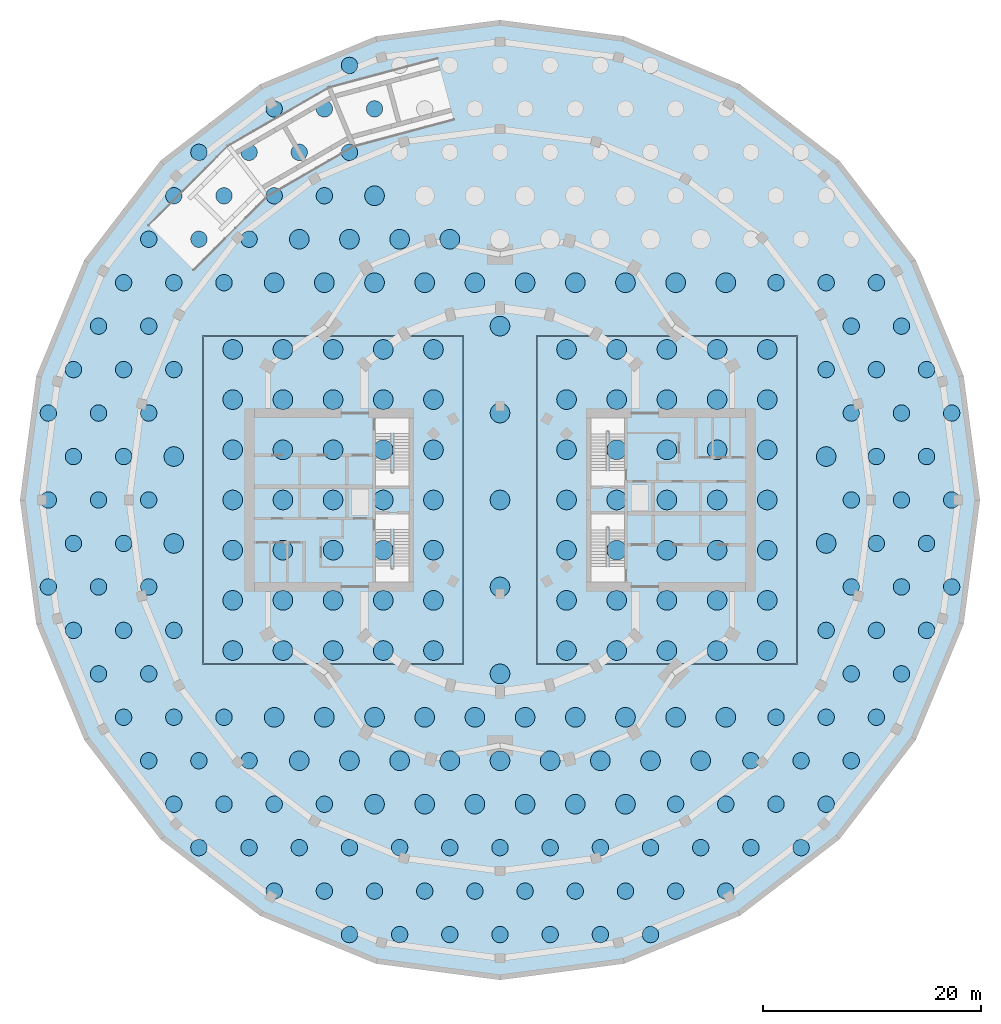
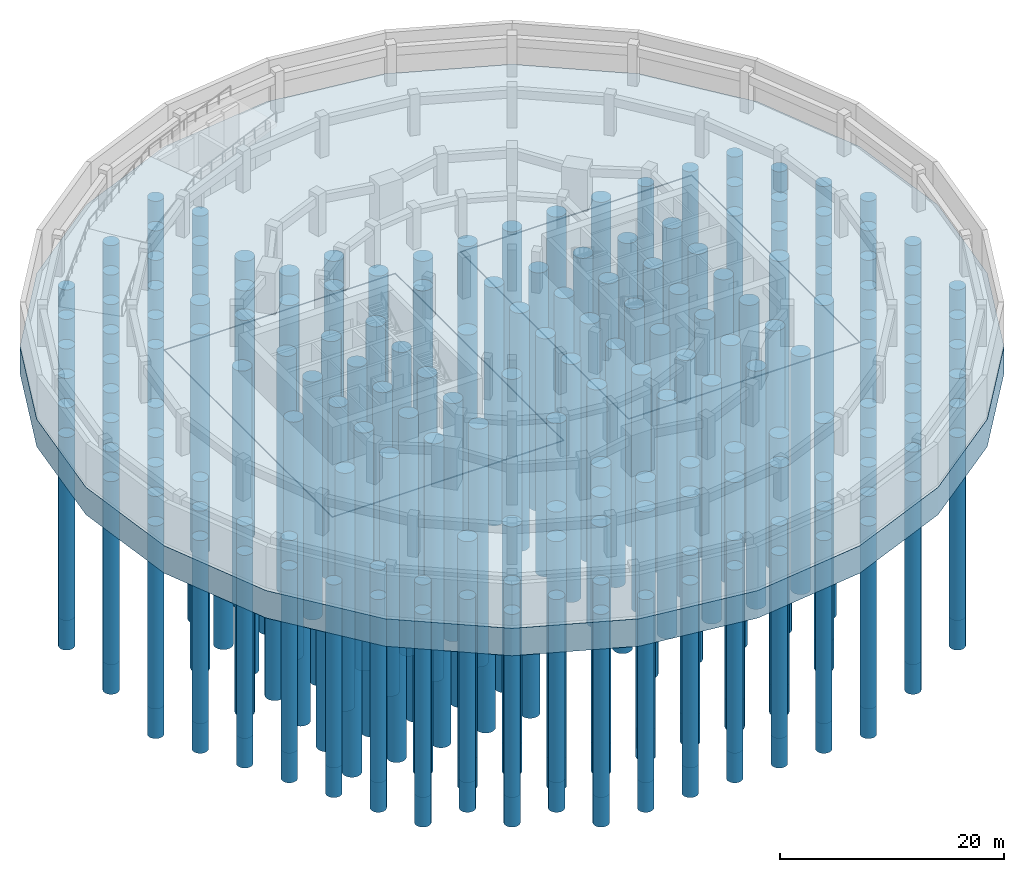
# One storey, part 1 of 9: 236 piles, 3 footings.
"""IFC4 building model written with IfcOpenShell, lengths in metres."""

from ifc_helpers import new_model, si_unit, direction, frame, origin, origin_2d, place, context, subcontext, project, spatial, polyline, circle, outline, extrude, material, layer, layer_set, material_profile, profile_set, type_object, element, save


model = new_model("IFC4")

# Units and contexts
model_context = context("Model", 3, precision=1e-05, world=origin(), true_north=direction((0.0, 1.0)))
body_context = subcontext(model_context, "Body", "Model", "MODEL_VIEW")
ifc_project = project(units=[si_unit("LENGTHUNIT", "METRE"), si_unit("AREAUNIT", "SQUARE_METRE"), si_unit("VOLUMEUNIT", "CUBIC_METRE"), si_unit("PLANEANGLEUNIT", "RADIAN"), si_unit("MASSUNIT", "GRAM", prefix="KILO")], contexts=[model_context])

# Site, building, storey
site_placement = place(None, origin())
site = spatial("IfcSite", under=ifc_project, at=site_placement, CompositionType="ELEMENT")
building_placement = place(site_placement, origin())
building = spatial("IfcBuilding", under=site, at=building_placement, Name="Torre Brocal", CompositionType="ELEMENT")
storey_placement = place(building_placement, frame((0.0, 0.0, -9.0)))
storey = spatial("IfcBuildingStorey", under=building, at=storey_placement, Name="B2", CompositionType="ELEMENT", Elevation=-9.0)

# Piles
ifc_material_1 = material(Name="Concrete C45", Category="concrete")
ifc_material_profile_1 = material_profile(ifc_material_1, circle(Radius=0.75, at=origin_2d()), Name="BORED PILE D1500")
ifc_profile_set_1 = profile_set([ifc_material_profile_1], Name="Concrete C45")
pile_type_1 = type_object("IfcPileType", Name="BORED PILE D1500 L20000", PredefinedType="BORED", material=ifc_profile_set_1)
for number, where, z_axis, x_axis, name in (
    (1, (66.199951171875, 35.162841796875, -3.300048828125), (0.0, 0.0, -1.0), (1.0, 0.0, 0.0), "Pile PL-02"),
    (2, (70.800048828125, 35.162841796875, -3.300048828125), (0.0, 0.0, -1.0), (1.0, 0.0, 0.0), "Pile PL-02"),
    (3, (75.39990234375, 35.162841796875, -3.300048828125), (0.0, 0.0, -1.0), (1.0, 0.0, 0.0), "Pile PL-02"),
    (4, (80.0, 35.162841796875, -3.300048828125), (0.0, 0.0, -1.0), (1.0, 0.0, 0.0), "Pile PL-02"),
    (5, (84.60009765625, 35.162841796875, -3.300048828125), (0.0, 0.0, -1.0), (1.0, 0.0, 0.0), "Pile PL-02"),
    (6, (89.199951171875, 35.162841796875, -3.300048828125), (0.0, 0.0, -1.0), (1.0, 0.0, 0.0), "Pile PL-02"),
    (7, (93.800048828125, 35.162841796875, -3.300048828125), (0.0, 0.0, -1.0), (1.0, 0.0, 0.0), "Pile PL-02"),
    (8, (59.300048828125, 39.146484375, -3.300048828125), (0.0, 0.0, -1.0), (1.0, 0.0, 0.0), "Pile PL-02"),
    (9, (63.89990234375, 39.146484375, -3.300048828125), (0.0, 0.0, -1.0), (1.0, 0.0, 0.0), "Pile PL-02"),
    (10, (68.5, 39.146484375, -3.300048828125), (0.0, 0.0, -1.0), (1.0, 0.0, 0.0), "Pile PL-02"),
    (11, (73.10009765625, 39.146484375, -3.300048828125), (0.0, 0.0, -1.0), (1.0, 0.0, 0.0), "Pile PL-02"),
    (12, (77.699951171875, 39.146484375, -3.300048828125), (0.0, 0.0, -1.0), (1.0, 0.0, 0.0), "Pile PL-02"),
    (13, (82.300048828125, 39.146484375, -3.300048828125), (0.0, 0.0, -1.0), (1.0, 0.0, 0.0), "Pile PL-02"),
    (14, (86.89990234375, 39.146484375, -3.300048828125), (0.0, 0.0, -1.0), (1.0, 0.0, 0.0), "Pile PL-02"),
    (15, (91.5, 39.146484375, -3.300048828125), (0.0, 0.0, -1.0), (1.0, 0.0, 0.0), "Pile PL-02"),
    (16, (96.10009765625, 39.146484375, -3.300048828125), (0.0, 0.0, -1.0), (1.0, 0.0, 0.0), "Pile PL-02"),
    (17, (100.699951171875, 39.146484375, -3.300048828125), (0.0, 0.0, -1.0), (1.0, 0.0, 0.0), "Pile PL-02"),
    (18, (52.39990234375, 43.13037109375, -3.300048828125), (0.0, 0.0, -1.0), (1.0, 0.0, 0.0), "Pile PL-02"),
    (19, (57.0, 43.13037109375, -3.300048828125), (0.0, 0.0, -1.0), (1.0, 0.0, 0.0), "Pile PL-02"),
    (20, (61.60009765625, 43.13037109375, -3.300048828125), (0.0, 0.0, -1.0), (1.0, 0.0, 0.0), "Pile PL-02"),
    (21, (66.199951171875, 43.13037109375, -3.300048828125), (0.0, 0.0, -1.0), (1.0, 0.0, 0.0), "Pile PL-02"),
    (22, (70.800048828125, 43.13037109375, -3.300048828125), (0.0, 0.0, -1.0), (1.0, 0.0, 0.0), "Pile PL-02"),
    (23, (75.39990234375, 43.13037109375, -3.300048828125), (0.0, 0.0, -1.0), (1.0, 0.0, 0.0), "Pile PL-02"),
    (24, (80.0, 43.13037109375, -3.300048828125), (0.0, 0.0, -1.0), (1.0, 0.0, 0.0), "Pile PL-02"),
    (25, (84.60009765625, 43.13037109375, -3.300048828125), (0.0, 0.0, -1.0), (1.0, 0.0, 0.0), "Pile PL-02"),
    (26, (89.199951171875, 43.13037109375, -3.300048828125), (0.0, 0.0, -1.0), (1.0, 0.0, 0.0), "Pile PL-02"),
    (27, (93.800048828125, 43.13037109375, -3.300048828125), (0.0, 0.0, -1.0), (1.0, 0.0, 0.0), "Pile PL-02"),
    (28, (98.39990234375, 43.13037109375, -3.300048828125), (0.0, 0.0, -1.0), (1.0, 0.0, 0.0), "Pile PL-02"),
    (29, (103.0, 43.13037109375, -3.300048828125), (0.0, 0.0, -1.0), (1.0, 0.0, 0.0), "Pile PL-02"),
    (30, (107.60009765625, 43.13037109375, -3.300048828125), (0.0, 0.0, -1.0), (1.0, 0.0, 0.0), "Pile PL-02"),
    (31, (50.10009765625, 47.114013671875, -3.300048828125), (0.0, 0.0, -1.0), (1.0, 0.0, 0.0), "Pile PL-02"),
    (32, (54.699951171875, 47.114013671875, -3.300048828125), (0.0, 0.0, -1.0), (1.0, 0.0, 0.0), "Pile PL-02"),
    (33, (59.300048828125, 47.114013671875, -3.300048828125), (0.0, 0.0, -1.0), (1.0, 0.0, 0.0), "Pile PL-02"),
    (34, (63.89990234375, 47.114013671875, -3.300048828125), (0.0, 0.0, -1.0), (1.0, 0.0, 0.0), "Pile PL-02"),
    (35, (96.10009765625, 47.114013671875, -3.300048828125), (0.0, 0.0, -1.0), (1.0, 0.0, 0.0), "Pile PL-02"),
    (36, (100.699951171875, 47.114013671875, -3.300048828125), (0.0, 0.0, -1.0), (1.0, 0.0, 0.0), "Pile PL-02"),
    (37, (105.300048828125, 47.114013671875, -3.300048828125), (0.0, 0.0, -1.0), (1.0, 0.0, 0.0), "Pile PL-02"),
    (38, (109.89990234375, 47.114013671875, -3.300048828125), (0.0, 0.0, -1.0), (1.0, 0.0, 0.0), "Pile PL-02"),
    (39, (47.800048828125, 51.09765625, -3.300048828125), (0.0, 0.0, -1.0), (1.0, 0.0, 0.0), "Pile PL-02"),
    (40, (52.39990234375, 51.09765625, -3.300048828125), (0.0, 0.0, -1.0), (1.0, 0.0, 0.0), "Pile PL-02"),
    (41, (57.0, 51.09765625, -3.300048828125), (0.0, 0.0, -1.0), (1.0, 0.0, 0.0), "Pile PL-02"),
    (42, (103.0, 51.09765625, -3.300048828125), (0.0, 0.0, -1.0), (1.0, 0.0, 0.0), "Pile PL-02"),
    (43, (107.60009765625, 51.09765625, -3.300048828125), (0.0, 0.0, -1.0), (1.0, 0.0, 0.0), "Pile PL-02"),
    (44, (112.199951171875, 51.09765625, -3.300048828125), (0.0, 0.0, -1.0), (1.0, 0.0, 0.0), "Pile PL-02"),
    (45, (45.5, 55.081298828125, -3.300048828125), (0.0, 0.0, -1.0), (1.0, 0.0, 0.0), "Pile PL-02"),
    (46, (50.10009765625, 55.081298828125, -3.300048828125), (0.0, 0.0, -1.0), (1.0, 0.0, 0.0), "Pile PL-02"),
    (47, (54.699951171875, 55.081298828125, -3.300048828125), (0.0, 0.0, -1.0), (1.0, 0.0, 0.0), "Pile PL-02"),
    (48, (105.300048828125, 55.081298828125, -3.300048828125), (0.0, 0.0, -1.0), (1.0, 0.0, 0.0), "Pile PL-02"),
    (49, (109.89990234375, 55.081298828125, -3.300048828125), (0.0, 0.0, -1.0), (1.0, 0.0, 0.0), "Pile PL-02"),
    (50, (114.5, 55.081298828125, -3.300048828125), (0.0, 0.0, -1.0), (1.0, 0.0, 0.0), "Pile PL-02"),
    (51, (43.199951171875, 59.065185546875, -3.300048828125), (0.0, 0.0, -1.0), (1.0, 0.0, 0.0), "Pile PL-02"),
    (52, (47.800048828125, 59.065185546875, -3.300048828125), (0.0, 0.0, -1.0), (1.0, 0.0, 0.0), "Pile PL-02"),
    (53, (112.199951171875, 59.065185546875, -3.300048828125), (0.0, 0.0, -1.0), (1.0, 0.0, 0.0), "Pile PL-02"),
    (54, (116.800048828125, 59.065185546875, -3.300048828125), (0.0, 0.0, -1.0), (1.0, 0.0, 0.0), "Pile PL-02"),
    (55, (40.89990234375, 63.048828125, -3.300048828125), (0.0, 0.0, -1.0), (1.0, 0.0, 0.0), "Pile PL-02"),
    (56, (45.5, 63.048828125, -3.300048828125), (0.0, 0.0, -1.0), (1.0, 0.0, 0.0), "Pile PL-02"),
    (57, (50.10009765625, 63.048828125, -3.300048828125), (0.0, 0.0, -1.0), (1.0, 0.0, 0.0), "Pile PL-02"),
    (58, (109.89990234375, 63.048828125, -3.300048828125), (0.0, 0.0, -1.0), (1.0, 0.0, 0.0), "Pile PL-02"),
    (59, (114.5, 63.048828125, -3.300048828125), (0.0, 0.0, -1.0), (1.0, 0.0, 0.0), "Pile PL-02"),
    (60, (119.10009765625, 63.048828125, -3.300048828125), (0.0, 0.0, -1.0), (1.0, 0.0, 0.0), "Pile PL-02"),
    (61, (38.60009765625, 67.032470703125, -3.300048828125), (0.0, 0.0, -1.0), (1.0, 0.0, 0.0), "Pile PL-02"),
    (62, (43.199951171875, 67.032470703125, -3.300048828125), (0.0, 0.0, -1.0), (1.0, 0.0, 0.0), "Pile PL-02"),
    (63, (47.800048828125, 67.032470703125, -3.300048828125), (0.0, 0.0, -1.0), (1.0, 0.0, 0.0), "Pile PL-02"),
    (64, (112.199951171875, 67.032470703125, -3.300048828125), (0.0, 0.0, -1.0), (1.0, 0.0, 0.0), "Pile PL-02"),
    (65, (116.800048828125, 67.032470703125, -3.300048828125), (0.0, 0.0, -1.0), (1.0, 0.0, 0.0), "Pile PL-02"),
    (66, (121.39990234375, 67.032470703125, -3.300048828125), (0.0, 0.0, -1.0), (1.0, 0.0, 0.0), "Pile PL-02"),
    (67, (40.89990234375, 71.016357421875, -3.300048828125), (0.0, 0.0, -1.0), (1.0, 0.0, 0.0), "Pile PL-02"),
    (68, (45.5, 71.016357421875, -3.300048828125), (0.0, 0.0, -1.0), (1.0, 0.0, 0.0), "Pile PL-02"),
    (69, (114.5, 71.016357421875, -3.300048828125), (0.0, 0.0, -1.0), (1.0, 0.0, 0.0), "Pile PL-02"),
    (70, (119.10009765625, 71.016357421875, -3.300048828125), (0.0, 0.0, -1.0), (1.0, 0.0, 0.0), "Pile PL-02"),
    (71, (38.60009765625, 75.0, -3.300048828125), (0.0, 0.0, -1.0), (1.0, 0.0, 0.0), "Pile PL-02"),
    (72, (43.199951171875, 75.0, -3.300048828125), (0.0, 0.0, -1.0), (1.0, 0.0, 0.0), "Pile PL-02"),
    (73, (47.800048828125, 75.0, -3.300048828125), (0.0, 0.0, -1.0), (1.0, 0.0, 0.0), "Pile PL-02"),
    (74, (112.199951171875, 75.0, -3.300048828125), (0.0, 0.0, -1.0), (1.0, 0.0, 0.0), "Pile PL-02"),
    (75, (116.800048828125, 75.0, -3.300048828125), (0.0, 0.0, -1.0), (1.0, 0.0, 0.0), "Pile PL-02"),
    (76, (121.39990234375, 75.0, -3.300048828125), (0.0, 0.0, -1.0), (1.0, 0.0, 0.0), "Pile PL-02"),
    (77, (40.89990234375, 78.983642578125, -3.300048828125), (0.0, 0.0, -1.0), (1.0, 0.0, 0.0), "Pile PL-02"),
    (78, (45.5, 78.983642578125, -3.300048828125), (0.0, 0.0, -1.0), (1.0, 0.0, 0.0), "Pile PL-02"),
    (79, (114.5, 78.983642578125, -3.300048828125), (0.0, 0.0, -1.0), (1.0, 0.0, 0.0), "Pile PL-02"),
    (80, (119.10009765625, 78.983642578125, -3.300048828125), (0.0, 0.0, -1.0), (1.0, 0.0, 0.0), "Pile PL-02"),
    (81, (38.60009765625, 82.967529296875, -3.300048828125), (0.0, 0.0, -1.0), (1.0, 0.0, 0.0), "Pile PL-02"),
    (82, (43.199951171875, 82.967529296875, -3.300048828125), (0.0, 0.0, -1.0), (1.0, 0.0, 0.0), "Pile PL-02"),
    (83, (47.800048828125, 82.967529296875, -3.300048828125), (0.0, 0.0, -1.0), (1.0, 0.0, 0.0), "Pile PL-02"),
    (84, (112.199951171875, 82.967529296875, -3.300048828125), (0.0, 0.0, -1.0), (1.0, 0.0, 0.0), "Pile PL-02"),
    (85, (116.800048828125, 82.967529296875, -3.300048828125), (0.0, 0.0, -1.0), (1.0, 0.0, 0.0), "Pile PL-02"),
    (86, (121.39990234375, 82.967529296875, -3.300048828125), (0.0, 0.0, -1.0), (1.0, 0.0, 0.0), "Pile PL-02"),
    (87, (40.89990234375, 86.951171875, -3.300048828125), (0.0, 0.0, -1.0), (1.0, 0.0, 0.0), "Pile PL-02"),
    (88, (45.5, 86.951171875, -3.300048828125), (0.0, 0.0, -1.0), (1.0, 0.0, 0.0), "Pile PL-02"),
    (89, (50.10009765625, 86.951171875, -3.300048828125), (0.0, 0.0, -1.0), (1.0, 0.0, 0.0), "Pile PL-02"),
    (90, (109.89990234375, 86.951171875, -3.300048828125), (0.0, 0.0, -1.0), (1.0, 0.0, 0.0), "Pile PL-02"),
    (91, (114.5, 86.951171875, -3.300048828125), (0.0, 0.0, -1.0), (1.0, 0.0, 0.0), "Pile PL-02"),
    (92, (119.10009765625, 86.951171875, -3.300048828125), (0.0, 0.0, -1.0), (1.0, 0.0, 0.0), "Pile PL-02"),
    (93, (43.199951171875, 90.934814453125, -3.300048828125), (0.0, 0.0, -1.0), (1.0, 0.0, 0.0), "Pile PL-02"),
    (94, (47.800048828125, 90.934814453125, -3.300048828125), (0.0, 0.0, -1.0), (1.0, 0.0, 0.0), "Pile PL-02"),
    (95, (112.199951171875, 90.934814453125, -3.300048828125), (0.0, 0.0, -1.0), (1.0, 0.0, 0.0), "Pile PL-02"),
    (96, (116.800048828125, 90.934814453125, -3.300048828125), (0.0, 0.0, -1.0), (1.0, 0.0, 0.0), "Pile PL-02"),
    (97, (45.5, 94.918701171875, -3.300048828125), (0.0, 0.0, -1.0), (1.0, 0.0, 0.0), "Pile PL-02"),
    (98, (50.10009765625, 94.918701171875, -3.300048828125), (0.0, 0.0, -1.0), (1.0, 0.0, 0.0), "Pile PL-02"),
    (99, (54.699951171875, 94.918701171875, -3.300048828125), (0.0, 0.0, -1.0), (1.0, 0.0, 0.0), "Pile PL-02"),
    (100, (105.300048828125, 94.918701171875, -3.300048828125), (0.0, 0.0, -1.0), (1.0, 0.0, 0.0), "Pile PL-02"),
    (101, (109.89990234375, 94.918701171875, -3.300048828125), (0.0, 0.0, -1.0), (1.0, 0.0, 0.0), "Pile PL-02"),
    (102, (114.5, 94.918701171875, -3.300048828125), (0.0, 0.0, -1.0), (1.0, 0.0, 0.0), "Pile PL-02"),
    (103, (47.800048828125, 98.90234375, -3.300048828125), (0.0, 0.0, -1.0), (1.0, 0.0, 0.0), "Pile PL-02"),
    (104, (52.39990234375, 98.90234375, -3.300048828125), (0.0, 0.0, -1.0), (1.0, 0.0, 0.0), "Pile PL-02"),
    (105, (57.0, 98.90234375, -3.300048828125), (0.0, 0.0, -1.0), (1.0, 0.0, 0.0), "Pile PL-02"),
    (106, (50.10009765625, 102.885986328125, -3.300048828125), (0.0, 0.0, -1.0), (1.0, 0.0, 0.0), "Pile PL-02"),
    (107, (54.699951171875, 102.885986328125, -3.300048828125), (0.0, 0.0, -1.0), (1.0, 0.0, 0.0), "Pile PL-02"),
    (108, (59.300048828125, 102.885986328125, -3.300048828125), (0.0, 0.0, -1.0), (1.0, 0.0, 0.0), "Pile PL-02"),
    (109, (63.89990234375, 102.885986328125, -3.300048828125), (0.0, 0.0, -1.0), (1.0, 0.0, 0.0), "Pile PL-02"),
    (110, (52.39990234375, 106.86962890625, -3.300048828125), (0.0, 0.0, -1.0), (1.0, 0.0, 0.0), "Pile PL-02"),
    (111, (57.0, 106.86962890625, -3.300048828125), (0.0, 0.0, -1.0), (1.0, 0.0, 0.0), "Pile PL-02"),
    (112, (61.60009765625, 106.86962890625, -3.300048828125), (0.0, 0.0, -1.0), (1.0, 0.0, 0.0), "Pile PL-02"),
    (113, (66.199951171875, 106.86962890625, -3.300048828125), (0.0, 0.0, -1.0), (1.0, 0.0, 0.0), "Pile PL-02"),
    (114, (59.300048828125, 110.853515625, -3.300048828125), (0.0, 0.0, -1.0), (1.0, 0.0, 0.0), "Pile PL-02"),
    (115, (63.89990234375, 110.853515625, -3.300048828125), (0.0, 0.0, -1.0), (1.0, 0.0, 0.0), "Pile PL-02"),
    (116, (68.5, 110.853515625, -3.300048828125), (0.0, 0.0, -1.0), (1.0, 0.0, 0.0), "Pile PL-02"),
    (117, (66.199951171875, 114.837158203125, -3.300048828125), (0.0, 0.0, -1.0), (1.0, 0.0, 0.0), "Pile PL-02"),
):
    element("IfcPile", number, at=place(storey_placement, frame(where, z_axis=z_axis, x_axis=x_axis)), inside=storey, type_object=pile_type_1, Name=name, PredefinedType="BORED", context=body_context, shape_type="SweptSolid", body=[
        extrude(circle(Radius=0.75, at=origin_2d()), origin(), (0.0, 0.0, 1.0), 20.0),
    ])
ifc_material_2 = material(Name="Concrete C45", Category="concrete")
ifc_material_profile_2 = material_profile(ifc_material_2, circle(Radius=0.89990234375, at=origin_2d()), Name="BORED PILE D1800")
ifc_profile_set_2 = profile_set([ifc_material_profile_2], Name="Concrete C45")
pile_type_2 = type_object("IfcPileType", Name="BORED PILE D1800 L24000", PredefinedType="BORED", material=ifc_profile_set_2)
for number, where, z_axis, x_axis, name in (
    (118, (68.5, 47.114013671875, -3.300048828125), (0.0, 0.0, -1.0), (1.0, 0.0, 0.0), "Pile PL-03"),
    (119, (73.10009765625, 47.114013671875, -3.300048828125), (0.0, 0.0, -1.0), (1.0, 0.0, 0.0), "Pile PL-03"),
    (120, (77.699951171875, 47.114013671875, -3.300048828125), (0.0, 0.0, -1.0), (1.0, 0.0, 0.0), "Pile PL-03"),
    (121, (82.300048828125, 47.114013671875, -3.300048828125), (0.0, 0.0, -1.0), (1.0, 0.0, 0.0), "Pile PL-03"),
    (122, (86.89990234375, 47.114013671875, -3.300048828125), (0.0, 0.0, -1.0), (1.0, 0.0, 0.0), "Pile PL-03"),
    (123, (91.5, 47.114013671875, -3.300048828125), (0.0, 0.0, -1.0), (1.0, 0.0, 0.0), "Pile PL-03"),
    (124, (61.60009765625, 51.09765625, -3.300048828125), (0.0, 0.0, -1.0), (1.0, 0.0, 0.0), "Pile PL-03"),
    (125, (66.199951171875, 51.09765625, -3.300048828125), (0.0, 0.0, -1.0), (1.0, 0.0, 0.0), "Pile PL-03"),
    (126, (70.800048828125, 51.09765625, -3.300048828125), (0.0, 0.0, -1.0), (1.0, 0.0, 0.0), "Pile PL-03"),
    (127, (75.39990234375, 51.09765625, -3.300048828125), (0.0, 0.0, -1.0), (1.0, 0.0, 0.0), "Pile PL-03"),
    (128, (80.0, 51.09765625, -3.300048828125), (0.0, 0.0, -1.0), (1.0, 0.0, 0.0), "Pile PL-03"),
    (129, (84.60009765625, 51.09765625, -3.300048828125), (0.0, 0.0, -1.0), (1.0, 0.0, 0.0), "Pile PL-03"),
    (130, (89.199951171875, 51.09765625, -3.300048828125), (0.0, 0.0, -1.0), (1.0, 0.0, 0.0), "Pile PL-03"),
    (131, (93.800048828125, 51.09765625, -3.300048828125), (0.0, 0.0, -1.0), (1.0, 0.0, 0.0), "Pile PL-03"),
    (132, (98.39990234375, 51.09765625, -3.300048828125), (0.0, 0.0, -1.0), (1.0, 0.0, 0.0), "Pile PL-03"),
    (133, (59.300048828125, 55.081298828125, -3.300048828125), (0.0, 0.0, -1.0), (1.0, 0.0, 0.0), "Pile PL-03"),
    (134, (63.89990234375, 55.081298828125, -3.300048828125), (0.0, 0.0, -1.0), (1.0, 0.0, 0.0), "Pile PL-03"),
    (135, (68.5, 55.081298828125, -3.300048828125), (0.0, 0.0, -1.0), (1.0, 0.0, 0.0), "Pile PL-03"),
    (136, (73.10009765625, 55.081298828125, -3.300048828125), (0.0, 0.0, -1.0), (1.0, 0.0, 0.0), "Pile PL-03"),
    (137, (77.699951171875, 55.081298828125, -3.300048828125), (0.0, 0.0, -1.0), (1.0, 0.0, 0.0), "Pile PL-03"),
    (138, (82.300048828125, 55.081298828125, -3.300048828125), (0.0, 0.0, -1.0), (1.0, 0.0, 0.0), "Pile PL-03"),
    (139, (86.89990234375, 55.081298828125, -3.300048828125), (0.0, 0.0, -1.0), (1.0, 0.0, 0.0), "Pile PL-03"),
    (140, (91.5, 55.081298828125, -3.300048828125), (0.0, 0.0, -1.0), (1.0, 0.0, 0.0), "Pile PL-03"),
    (141, (96.10009765625, 55.081298828125, -3.300048828125), (0.0, 0.0, -1.0), (1.0, 0.0, 0.0), "Pile PL-03"),
    (142, (100.699951171875, 55.081298828125, -3.300048828125), (0.0, 0.0, -1.0), (1.0, 0.0, 0.0), "Pile PL-03"),
    (143, (80.0, 59.065185546875, -3.300048828125), (0.0, 0.0, -1.0), (1.0, 0.0, 0.0), "Pile PL-03"),
    (144, (80.0, 67.032470703125, -3.300048828125), (0.0, 0.0, -1.0), (1.0, 0.0, 0.0), "Pile PL-03"),
    (145, (50.10009765625, 71.016357421875, -3.300048828125), (0.0, 0.0, -1.0), (1.0, 0.0, 0.0), "Pile PL-03"),
    (146, (109.89990234375, 71.016357421875, -3.300048828125), (0.0, 0.0, -1.0), (1.0, 0.0, 0.0), "Pile PL-03"),
    (147, (80.0, 75.0, -3.300048828125), (0.0, 0.0, -1.0), (1.0, 0.0, 0.0), "Pile PL-03"),
    (148, (50.10009765625, 78.983642578125, -3.300048828125), (0.0, 0.0, -1.0), (1.0, 0.0, 0.0), "Pile PL-03"),
    (149, (109.89990234375, 78.983642578125, -3.300048828125), (0.0, 0.0, -1.0), (1.0, 0.0, 0.0), "Pile PL-03"),
    (150, (80.0, 82.967529296875, -3.300048828125), (0.0, 0.0, -1.0), (1.0, 0.0, 0.0), "Pile PL-03"),
    (151, (80.0, 90.934814453125, -3.300048828125), (0.0, 0.0, -1.0), (1.0, 0.0, 0.0), "Pile PL-03"),
    (152, (59.300048828125, 94.918701171875, -3.300048828125), (0.0, 0.0, -1.0), (1.0, 0.0, 0.0), "Pile PL-03"),
    (153, (63.89990234375, 94.918701171875, -3.300048828125), (0.0, 0.0, -1.0), (1.0, 0.0, 0.0), "Pile PL-03"),
    (154, (68.5, 94.918701171875, -3.300048828125), (0.0, 0.0, -1.0), (1.0, 0.0, 0.0), "Pile PL-03"),
    (155, (73.10009765625, 94.918701171875, -3.300048828125), (0.0, 0.0, -1.0), (1.0, 0.0, 0.0), "Pile PL-03"),
    (156, (77.699951171875, 94.918701171875, -3.300048828125), (0.0, 0.0, -1.0), (1.0, 0.0, 0.0), "Pile PL-03"),
    (157, (82.300048828125, 94.918701171875, -3.300048828125), (0.0, 0.0, -1.0), (1.0, 0.0, 0.0), "Pile PL-03"),
    (158, (86.89990234375, 94.918701171875, -3.300048828125), (0.0, 0.0, -1.0), (1.0, 0.0, 0.0), "Pile PL-03"),
    (159, (91.5, 94.918701171875, -3.300048828125), (0.0, 0.0, -1.0), (1.0, 0.0, 0.0), "Pile PL-03"),
    (160, (96.10009765625, 94.918701171875, -3.300048828125), (0.0, 0.0, -1.0), (1.0, 0.0, 0.0), "Pile PL-03"),
    (161, (100.699951171875, 94.918701171875, -3.300048828125), (0.0, 0.0, -1.0), (1.0, 0.0, 0.0), "Pile PL-03"),
    (162, (61.60009765625, 98.90234375, -3.300048828125), (0.0, 0.0, -1.0), (1.0, 0.0, 0.0), "Pile PL-03"),
    (163, (66.199951171875, 98.90234375, -3.300048828125), (0.0, 0.0, -1.0), (1.0, 0.0, 0.0), "Pile PL-03"),
    (164, (70.800048828125, 98.90234375, -3.300048828125), (0.0, 0.0, -1.0), (1.0, 0.0, 0.0), "Pile PL-03"),
    (165, (75.39990234375, 98.90234375, -3.300048828125), (0.0, 0.0, -1.0), (1.0, 0.0, 0.0), "Pile PL-03"),
    (166, (68.5, 102.885986328125, -3.300048828125), (0.0, 0.0, -1.0), (1.0, 0.0, 0.0), "Pile PL-03"),
):
    element("IfcPile", number, at=place(storey_placement, frame(where, z_axis=z_axis, x_axis=x_axis)), inside=storey, type_object=pile_type_2, Name=name, PredefinedType="BORED", context=body_context, shape_type="SweptSolid", body=[
        extrude(circle(Radius=0.89990234375, at=origin_2d()), origin(), (0.0, 0.0, 1.0), 24.0),
    ])
ifc_material_3 = material(Name="Concrete C45", Category="concrete")
ifc_material_profile_3 = material_profile(ifc_material_3, circle(Radius=0.89990234375, at=origin_2d()), Name="BORED PILE D1800")
ifc_profile_set_3 = profile_set([ifc_material_profile_3], Name="Concrete C45")
pile_type_3 = type_object("IfcPileType", Name="BORED PILE D1800 L26000", PredefinedType="BORED", material=ifc_profile_set_3)
for number, where, z_axis, x_axis, name in (
    (167, (86.10009765625, 61.199951171875, -3.800048828125), (0.0, 0.0, -1.0), (1.0, 0.0, 0.0), "Pile PL-01"),
    (168, (86.10009765625, 65.800048828125, -3.800048828125), (0.0, 0.0, -1.0), (1.0, 0.0, 0.0), "Pile PL-01"),
    (169, (86.10009765625, 70.39990234375, -3.800048828125), (0.0, 0.0, -1.0), (1.0, 0.0, 0.0), "Pile PL-01"),
    (170, (86.10009765625, 75.0, -3.800048828125), (0.0, 0.0, -1.0), (1.0, 0.0, 0.0), "Pile PL-01"),
    (171, (86.10009765625, 79.60009765625, -3.800048828125), (0.0, 0.0, -1.0), (1.0, 0.0, 0.0), "Pile PL-01"),
    (172, (86.10009765625, 84.199951171875, -3.800048828125), (0.0, 0.0, -1.0), (1.0, 0.0, 0.0), "Pile PL-01"),
    (173, (86.10009765625, 88.800048828125, -3.800048828125), (0.0, 0.0, -1.0), (1.0, 0.0, 0.0), "Pile PL-01"),
    (174, (90.699951171875, 61.199951171875, -3.800048828125), (0.0, 0.0, -1.0), (1.0, 0.0, 0.0), "Pile PL-01"),
    (175, (90.699951171875, 65.800048828125, -3.800048828125), (0.0, 0.0, -1.0), (1.0, 0.0, 0.0), "Pile PL-01"),
    (176, (90.699951171875, 70.39990234375, -3.800048828125), (0.0, 0.0, -1.0), (1.0, 0.0, 0.0), "Pile PL-01"),
    (177, (90.699951171875, 75.0, -3.800048828125), (0.0, 0.0, -1.0), (1.0, 0.0, 0.0), "Pile PL-01"),
    (178, (90.699951171875, 79.60009765625, -3.800048828125), (0.0, 0.0, -1.0), (1.0, 0.0, 0.0), "Pile PL-01"),
    (179, (90.699951171875, 84.199951171875, -3.800048828125), (0.0, 0.0, -1.0), (1.0, 0.0, 0.0), "Pile PL-01"),
    (180, (90.699951171875, 88.800048828125, -3.800048828125), (0.0, 0.0, -1.0), (1.0, 0.0, 0.0), "Pile PL-01"),
    (181, (95.300048828125, 61.199951171875, -3.800048828125), (0.0, 0.0, -1.0), (1.0, 0.0, 0.0), "Pile PL-01"),
    (182, (95.300048828125, 65.800048828125, -3.800048828125), (0.0, 0.0, -1.0), (1.0, 0.0, 0.0), "Pile PL-01"),
    (183, (95.300048828125, 70.39990234375, -3.800048828125), (0.0, 0.0, -1.0), (1.0, 0.0, 0.0), "Pile PL-01"),
    (184, (95.300048828125, 75.0, -3.800048828125), (0.0, 0.0, -1.0), (1.0, 0.0, 0.0), "Pile PL-01"),
    (185, (95.300048828125, 79.60009765625, -3.800048828125), (0.0, 0.0, -1.0), (1.0, 0.0, 0.0), "Pile PL-01"),
    (186, (95.300048828125, 84.199951171875, -3.800048828125), (0.0, 0.0, -1.0), (1.0, 0.0, 0.0), "Pile PL-01"),
    (187, (95.300048828125, 88.800048828125, -3.800048828125), (0.0, 0.0, -1.0), (1.0, 0.0, 0.0), "Pile PL-01"),
    (188, (99.89990234375, 61.199951171875, -3.800048828125), (0.0, 0.0, -1.0), (1.0, 0.0, 0.0), "Pile PL-01"),
    (189, (99.89990234375, 65.800048828125, -3.800048828125), (0.0, 0.0, -1.0), (1.0, 0.0, 0.0), "Pile PL-01"),
    (190, (99.89990234375, 70.39990234375, -3.800048828125), (0.0, 0.0, -1.0), (1.0, 0.0, 0.0), "Pile PL-01"),
    (191, (99.89990234375, 75.0, -3.800048828125), (0.0, 0.0, -1.0), (1.0, 0.0, 0.0), "Pile PL-01"),
    (192, (99.89990234375, 79.60009765625, -3.800048828125), (0.0, 0.0, -1.0), (1.0, 0.0, 0.0), "Pile PL-01"),
    (193, (99.89990234375, 84.199951171875, -3.800048828125), (0.0, 0.0, -1.0), (1.0, 0.0, 0.0), "Pile PL-01"),
    (194, (99.89990234375, 88.800048828125, -3.800048828125), (0.0, 0.0, -1.0), (1.0, 0.0, 0.0), "Pile PL-01"),
    (195, (104.5, 61.199951171875, -3.800048828125), (0.0, 0.0, -1.0), (1.0, 0.0, 0.0), "Pile PL-01"),
    (196, (104.5, 65.800048828125, -3.800048828125), (0.0, 0.0, -1.0), (1.0, 0.0, 0.0), "Pile PL-01"),
    (197, (104.5, 70.39990234375, -3.800048828125), (0.0, 0.0, -1.0), (1.0, 0.0, 0.0), "Pile PL-01"),
    (198, (104.5, 75.0, -3.800048828125), (0.0, 0.0, -1.0), (1.0, 0.0, 0.0), "Pile PL-01"),
    (199, (104.5, 79.60009765625, -3.800048828125), (0.0, 0.0, -1.0), (1.0, 0.0, 0.0), "Pile PL-01"),
    (200, (104.5, 84.199951171875, -3.800048828125), (0.0, 0.0, -1.0), (1.0, 0.0, 0.0), "Pile PL-01"),
    (201, (104.5, 88.800048828125, -3.800048828125), (0.0, 0.0, -1.0), (1.0, 0.0, 0.0), "Pile PL-01"),
    (202, (73.89990234375, 88.800048828125, -3.800048828125), (0.0, 0.0, -1.0), (1.0, 0.0, 0.0), "Pile PL-01"),
    (203, (73.89990234375, 84.199951171875, -3.800048828125), (0.0, 0.0, -1.0), (1.0, 0.0, 0.0), "Pile PL-01"),
    (204, (73.89990234375, 79.60009765625, -3.800048828125), (0.0, 0.0, -1.0), (1.0, 0.0, 0.0), "Pile PL-01"),
    (205, (73.89990234375, 75.0, -3.800048828125), (0.0, 0.0, -1.0), (1.0, 0.0, 0.0), "Pile PL-01"),
    (206, (73.89990234375, 70.39990234375, -3.800048828125), (0.0, 0.0, -1.0), (1.0, 0.0, 0.0), "Pile PL-01"),
    (207, (73.89990234375, 65.800048828125, -3.800048828125), (0.0, 0.0, -1.0), (1.0, 0.0, 0.0), "Pile PL-01"),
    (208, (73.89990234375, 61.199951171875, -3.800048828125), (0.0, 0.0, -1.0), (1.0, 0.0, 0.0), "Pile PL-01"),
    (209, (69.300048828125, 88.800048828125, -3.800048828125), (0.0, 0.0, -1.0), (1.0, 0.0, 0.0), "Pile PL-01"),
    (210, (69.300048828125, 84.199951171875, -3.800048828125), (0.0, 0.0, -1.0), (1.0, 0.0, 0.0), "Pile PL-01"),
    (211, (69.300048828125, 79.60009765625, -3.800048828125), (0.0, 0.0, -1.0), (1.0, 0.0, 0.0), "Pile PL-01"),
    (212, (69.300048828125, 75.0, -3.800048828125), (0.0, 0.0, -1.0), (1.0, 0.0, 0.0), "Pile PL-01"),
    (213, (69.300048828125, 70.39990234375, -3.800048828125), (0.0, 0.0, -1.0), (1.0, 0.0, 0.0), "Pile PL-01"),
    (214, (69.300048828125, 65.800048828125, -3.800048828125), (0.0, 0.0, -1.0), (1.0, 0.0, 0.0), "Pile PL-01"),
    (215, (69.300048828125, 61.199951171875, -3.800048828125), (0.0, 0.0, -1.0), (1.0, 0.0, 0.0), "Pile PL-01"),
    (216, (64.699951171875, 88.800048828125, -3.800048828125), (0.0, 0.0, -1.0), (1.0, 0.0, 0.0), "Pile PL-01"),
    (217, (64.699951171875, 84.199951171875, -3.800048828125), (0.0, 0.0, -1.0), (1.0, 0.0, 0.0), "Pile PL-01"),
    (218, (64.699951171875, 79.60009765625, -3.800048828125), (0.0, 0.0, -1.0), (1.0, 0.0, 0.0), "Pile PL-01"),
    (219, (64.699951171875, 75.0, -3.800048828125), (0.0, 0.0, -1.0), (1.0, 0.0, 0.0), "Pile PL-01"),
    (220, (64.699951171875, 70.39990234375, -3.800048828125), (0.0, 0.0, -1.0), (1.0, 0.0, 0.0), "Pile PL-01"),
    (221, (64.699951171875, 65.800048828125, -3.800048828125), (0.0, 0.0, -1.0), (1.0, 0.0, 0.0), "Pile PL-01"),
    (222, (64.699951171875, 61.199951171875, -3.800048828125), (0.0, 0.0, -1.0), (1.0, 0.0, 0.0), "Pile PL-01"),
    (223, (60.10009765625, 88.800048828125, -3.800048828125), (0.0, 0.0, -1.0), (1.0, 0.0, 0.0), "Pile PL-01"),
    (224, (60.10009765625, 84.199951171875, -3.800048828125), (0.0, 0.0, -1.0), (1.0, 0.0, 0.0), "Pile PL-01"),
    (225, (60.10009765625, 79.60009765625, -3.800048828125), (0.0, 0.0, -1.0), (1.0, 0.0, 0.0), "Pile PL-01"),
    (226, (60.10009765625, 75.0, -3.800048828125), (0.0, 0.0, -1.0), (1.0, 0.0, 0.0), "Pile PL-01"),
    (227, (60.10009765625, 70.39990234375, -3.800048828125), (0.0, 0.0, -1.0), (1.0, 0.0, 0.0), "Pile PL-01"),
    (228, (60.10009765625, 65.800048828125, -3.800048828125), (0.0, 0.0, -1.0), (1.0, 0.0, 0.0), "Pile PL-01"),
    (229, (60.10009765625, 61.199951171875, -3.800048828125), (0.0, 0.0, -1.0), (1.0, 0.0, 0.0), "Pile PL-01"),
    (230, (55.5, 88.800048828125, -3.800048828125), (0.0, 0.0, -1.0), (1.0, 0.0, 0.0), "Pile PL-01"),
    (231, (55.5, 84.199951171875, -3.800048828125), (0.0, 0.0, -1.0), (1.0, 0.0, 0.0), "Pile PL-01"),
    (232, (55.5, 79.60009765625, -3.800048828125), (0.0, 0.0, -1.0), (1.0, 0.0, 0.0), "Pile PL-01"),
    (233, (55.5, 75.0, -3.800048828125), (0.0, 0.0, -1.0), (1.0, 0.0, 0.0), "Pile PL-01"),
    (234, (55.5, 70.39990234375, -3.800048828125), (0.0, 0.0, -1.0), (1.0, 0.0, 0.0), "Pile PL-01"),
    (235, (55.5, 65.800048828125, -3.800048828125), (0.0, 0.0, -1.0), (1.0, 0.0, 0.0), "Pile PL-01"),
    (236, (55.5, 61.199951171875, -3.800048828125), (0.0, 0.0, -1.0), (1.0, 0.0, 0.0), "Pile PL-01"),
):
    element("IfcPile", number, at=place(storey_placement, frame(where, z_axis=z_axis, x_axis=x_axis)), inside=storey, type_object=pile_type_3, Name=name, PredefinedType="BORED", context=body_context, shape_type="SweptSolid", body=[
        extrude(circle(Radius=0.89990234375, at=origin_2d()), origin(), (0.0, 0.0, 1.0), 26.0),
    ])

# Footings
ifc_material_4 = material(Name="Concrete C45", Category="concrete")
ifc_layer_1 = layer(ifc_material_4, 3.5)
ifc_layer_set_1 = layer_set([ifc_layer_1], Name="Concrete C45")
footing_type_1 = type_object("IfcFootingType", Name="PILE CAP CORE 3500 C45", PredefinedType="PILE_CAP", material=ifc_layer_set_1)
footing_1_placement = place(storey_placement, frame((0.0, 0.0, -3.800048828125)))
element("IfcFooting", 237, at=footing_1_placement, inside=storey, type_object=footing_type_1, Name="Footing PC-01", PredefinedType="PILE_CAP", context=body_context, shape_type="SweptSolid", body=[
    extrude(outline(polyline([(83.39990234375, 60.0), (107.199951171875, 60.0), (107.199951171875, 90.0), (83.39990234375, 90.0), (83.39990234375, 60.0)])), origin(), (0.0, 0.0, 1.0), 3.5),
])
footing_2_placement = place(storey_placement, frame((0.0, 0.0, -3.800048828125)))
element("IfcFooting", 238, at=footing_2_placement, inside=storey, type_object=footing_type_1, Name="Footing PC-02", PredefinedType="PILE_CAP", context=body_context, shape_type="SweptSolid", body=[
    extrude(outline(polyline([(76.60009765625, 90.0), (52.800048828125, 90.0), (52.800048828125, 60.0), (76.60009765625, 60.0), (76.60009765625, 90.0)])), origin(), (0.0, 0.0, 1.0), 3.5),
])
ifc_material_5 = material(Name="Concrete C45", Category="concrete")
ifc_layer_2 = layer(ifc_material_5, 3.0)
ifc_layer_set_2 = layer_set([ifc_layer_2], Name="Concrete C45")
footing_type_2 = type_object("IfcFootingType", Name="PILE CAP RAFT 3000 C45", PredefinedType="PILE_CAP", material=ifc_layer_set_2)
footing_3_placement = place(storey_placement, frame((0.0, 0.0, -3.300048828125)))
element("IfcFooting", 239, at=footing_3_placement, inside=storey, type_object=footing_type_2, Name="Footing PC-03", PredefinedType="PILE_CAP", context=body_context, shape_type="SweptSolid", body=[
    extrude(outline(polyline([(118.105224609375, 53.0), (111.11279296875, 43.88720703125), (102.0, 36.894775390625), (91.387939453125, 32.499267578125), (80.0, 31.0), (68.612060546875, 32.499267578125), (58.0, 36.894775390625), (48.88720703125, 43.88720703125), (41.894775390625, 53.0), (37.499267578125, 63.612060546875), (36.0, 75.0), (37.499267578125, 86.387939453125), (41.894775390625, 97.0), (48.88720703125, 106.11279296875), (58.0, 113.105224609375), (68.612060546875, 117.500732421875), (80.0, 119.0), (91.387939453125, 117.500732421875), (102.0, 113.105224609375), (111.11279296875, 106.11279296875), (118.105224609375, 97.0), (122.500732421875, 86.387939453125), (124.0, 75.0), (122.500732421875, 63.612060546875), (118.105224609375, 53.0)]), holes=[polyline([(107.27490234375, 90.074951171875), (83.324951171875, 90.074951171875), (83.324951171875, 59.925048828125), (107.27490234375, 59.925048828125), (107.27490234375, 90.074951171875)]), polyline([(52.72509765625, 90.074951171875), (52.72509765625, 59.925048828125), (76.675048828125, 59.925048828125), (76.675048828125, 90.074951171875), (52.72509765625, 90.074951171875)])]), origin(), (0.0, 0.0, 1.0), 3.0),
])

save(model, "model.ifc")
